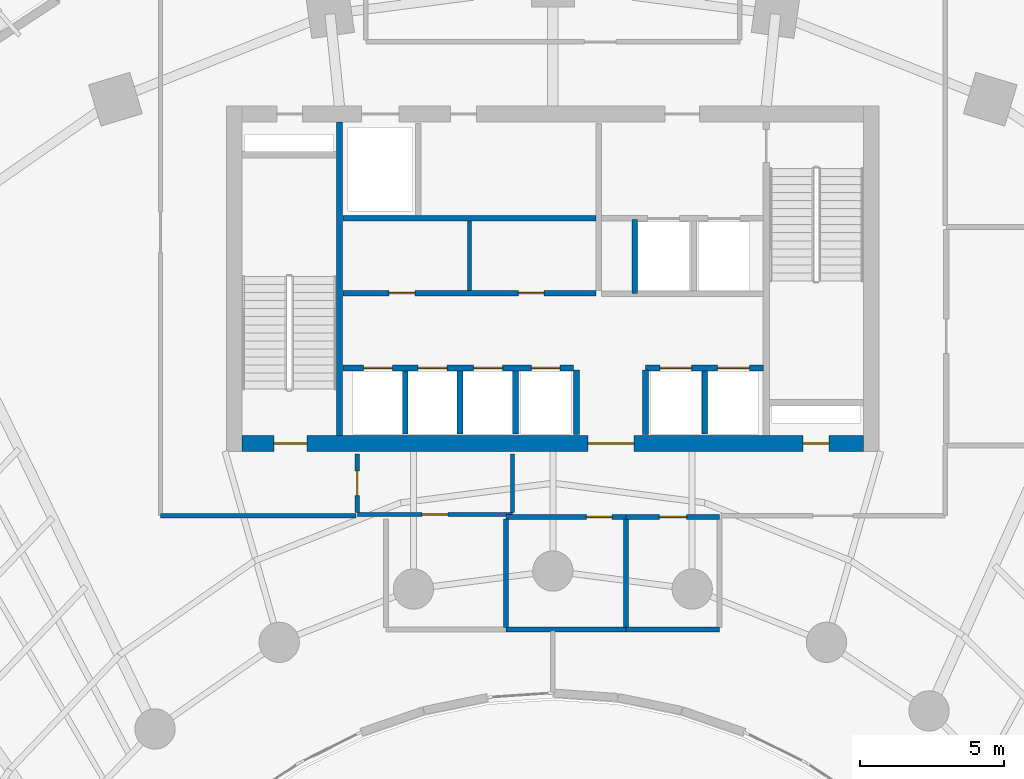
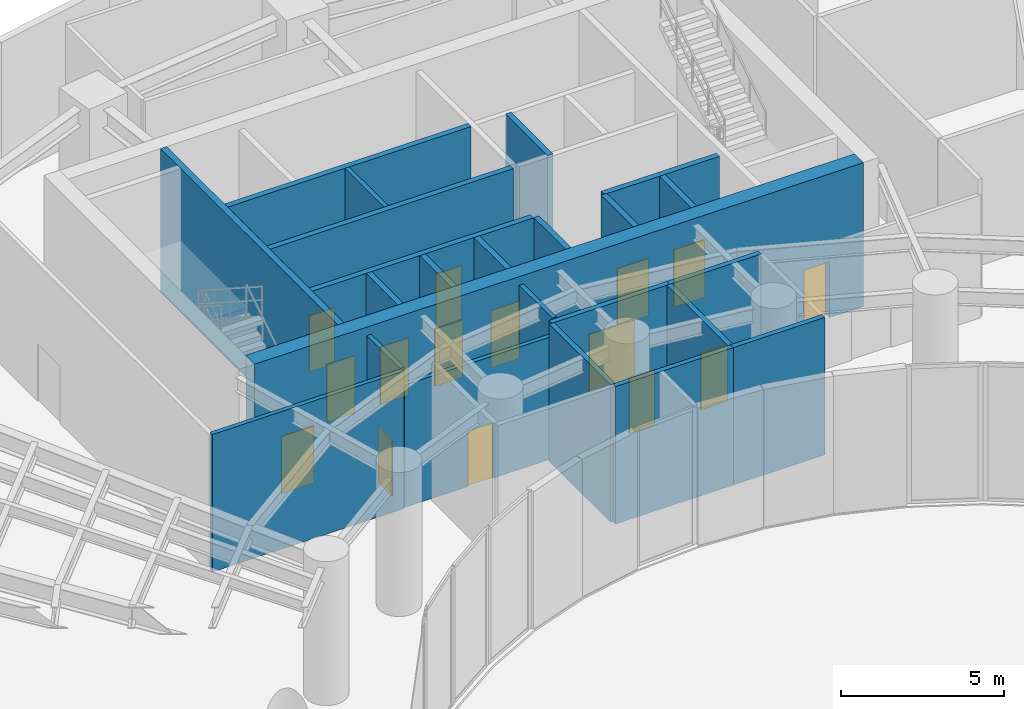
# One storey, part 10 of 17: 24 walls, 15 doors, 15 openings.
"""IFC4 building model written with IfcOpenShell, lengths in metres."""

from ifc_helpers import new_model, si_unit, direction, frame, frame_2d, origin, place, context, subcontext, project, spatial, rectangle, extrude, source, transform, mapped, material, layer, layer_set, type_object, type_shapes, element, fill, save


model = new_model("IFC4")

# Units and contexts
model_context = context("Model", 3, precision=1e-05, world=origin(), true_north=direction((0.0, 1.0)))
body_context = subcontext(model_context, "Body", "Model", "MODEL_VIEW")
ifc_project = project(units=[si_unit("LENGTHUNIT", "METRE"), si_unit("AREAUNIT", "SQUARE_METRE"), si_unit("VOLUMEUNIT", "CUBIC_METRE"), si_unit("PLANEANGLEUNIT", "RADIAN"), si_unit("MASSUNIT", "GRAM", prefix="KILO")], contexts=[model_context])

# Site, building, storey
site_placement = place(None, origin())
site = spatial("IfcSite", under=ifc_project, at=site_placement, CompositionType="ELEMENT")
building_placement = place(site_placement, origin())
building = spatial("IfcBuilding", under=site, at=building_placement, Name="Breltana Convention Tower", CompositionType="ELEMENT")
storey_placement = place(building_placement, frame((0.0, 0.0, 30.0)))
storey = spatial("IfcBuildingStorey", under=building, at=storey_placement, Name="L05", CompositionType="ELEMENT", Elevation=30.0)

# Wall, openings, doors
ifc_material_1 = material(Name="Concrete C60/75", Category="concrete")
ifc_layer_1 = layer(ifc_material_1, 0.550048828125, Name="Concrete C60/75")
ifc_layer_set_1 = layer_set([ifc_layer_1], Name="Concrete C60/75")
wall_type_1 = type_object("IfcWallType", Name="SW-CORE-550", PredefinedType="SHEAR", material=ifc_layer_set_1)
shared_shape_1 = source(origin(), body_context, "Body", "SweptSolid", [
    extrude(rectangle(XDim=21.60009765625, YDim=0.550048828125, at=frame_2d((10.800048828125, 0.0))), origin(), (0.0, 0.0, 1.0), 5.39990234375),
])
wall_1_placement = place(storey_placement, frame((37.199951171875, 60.47509765625, 0.0), z_axis=(0.0, 0.0, 1.0), x_axis=(1.0, 0.0, 0.0)))
wall_1 = element("IfcWall", 1, at=wall_1_placement, inside=storey, type_object=wall_type_1, Name="L05 South Core Shear Wall", PredefinedType="SHEAR", context=body_context, shape_type="MappedRepresentation", body=[
    mapped(shared_shape_1, transform((0.0, 0.0, 0.0), scale=1.0)),
])
opening_1_placement = place(wall_1_placement, frame((1.10009765625, 0.0, 0.0)))
opening_1 = element("IfcOpeningElement", 2, at=opening_1_placement, cuts=wall_1, Name="Opening D-11", PredefinedType="OPENING", context=body_context, shape_type="SweptSolid", body=[
    extrude(rectangle(XDim=1.14990234375, YDim=2.14990234375, at=frame_2d((0.574951171875, 1.074951171875))), frame((0.0, 0.28515625, 0.0), z_axis=(0.0, -1.0, 0.0), x_axis=(1.0, 0.0, 0.0)), (0.0, 0.0, 1.0), 0.570068359375),
])
opening_2_placement = place(wall_1_placement, frame((19.5, 0.0, 0.0)))
opening_2 = element("IfcOpeningElement", 3, at=opening_2_placement, cuts=wall_1, Name="Opening D-18", PredefinedType="OPENING", context=body_context, shape_type="SweptSolid", body=[
    extrude(rectangle(XDim=0.89990234375, YDim=2.10009765625, at=frame_2d((0.449951171875, 1.050048828125))), frame((0.0, 0.28515625, 0.0), z_axis=(0.0, -1.0, 0.0), x_axis=(1.0, 0.0, 0.0)), (0.0, 0.0, 1.0), 0.570068359375),
])
opening_3_placement = place(wall_1_placement, frame((12.02001953125, 0.0, 0.0)))
opening_3 = element("IfcOpeningElement", 4, at=opening_3_placement, cuts=wall_1, Name="Opening D-02", PredefinedType="OPENING", context=body_context, shape_type="SweptSolid", body=[
    extrude(rectangle(XDim=1.60009765625, YDim=2.14990234375, at=frame_2d((0.800048828125, 1.074951171875))), frame((0.0, 0.28515625, 0.0), z_axis=(0.0, -1.0, 0.0), x_axis=(1.0, 0.0, 0.0)), (0.0, 0.0, 1.0), 0.570068359375),
])
ifc_material_2 = material(Name="Steel Stair Exit Door", Category="steel")
door_type_1 = type_object("IfcDoorType", Name="DR-FD120-1150", OperationType="NOTDEFINED", PredefinedType="DOOR", material=ifc_material_2)
shared_shape_2 = source(origin(), body_context, "Body", "SweptSolid", [
    extrude(rectangle(XDim=1.14990234375, YDim=2.14990234375, at=frame_2d((0.574951171875, 1.074951171875))), frame((0.0, 0.02490234375, 0.0), z_axis=(0.0, -1.0, 0.0), x_axis=(1.0, 0.0, 0.0)), (0.0, 0.0, 1.0), 0.050048828125),
])
type_shapes(door_type_1, [shared_shape_2])
door_1_placement = place(opening_1_placement, origin())
door_1 = element("IfcDoor", 5, at=door_1_placement, inside=storey, type_object=door_type_1, Name="L05 interior door D-L05-ST1", OperationType="SINGLE_SWING_LEFT", OverallHeight=2.14990234375, OverallWidth=1.14990234375, PredefinedType="DOOR", context=body_context, shape_type="MappedRepresentation", body=[
    mapped(shared_shape_2, transform((0.0, 0.0, 0.0), scale=1.0)),
])
fill(opening_1, door_1)
ifc_material_3 = material(Name="Steel Riser Fire Door", Category="steel")
door_type_2 = type_object("IfcDoorType", Name="DR-FD60-900", OperationType="NOTDEFINED", PredefinedType="DOOR", material=ifc_material_3)
shared_shape_3 = source(origin(), body_context, "Body", "SweptSolid", [
    extrude(rectangle(XDim=0.89990234375, YDim=2.10009765625, at=frame_2d((0.449951171875, 1.050048828125))), frame((0.0, 0.02490234375, 0.0), z_axis=(0.0, -1.0, 0.0), x_axis=(1.0, 0.0, 0.0)), (0.0, 0.0, 1.0), 0.050048828125),
])
type_shapes(door_type_2, [shared_shape_3])
door_2_placement = place(opening_2_placement, origin())
door_2 = element("IfcDoor", 6, at=door_2_placement, inside=storey, type_object=door_type_2, Name="L05 Core Riser Access Door D-L05-RS2", OperationType="SINGLE_SWING_RIGHT", OverallHeight=2.10009765625, OverallWidth=0.89990234375, PredefinedType="DOOR", context=body_context, shape_type="MappedRepresentation", body=[
    mapped(shared_shape_3, transform((0.0, 0.0, 0.0), scale=1.0)),
])
fill(opening_2, door_2)
ifc_material_4 = material(Name="Steel Glazed Smoke-Control Door", Category="steel")
door_type_3 = type_object("IfcDoorType", Name="DR-DBL-FD90-1600", OperationType="DOUBLE_DOOR_SINGLE_SWING", PredefinedType="DOOR", material=ifc_material_4)
shared_shape_4 = source(origin(), body_context, "Body", "SweptSolid", [
    extrude(rectangle(XDim=1.60009765625, YDim=2.14990234375, at=frame_2d((0.800048828125, 1.074951171875))), frame((0.0, 0.02490234375, 0.0), z_axis=(0.0, -1.0, 0.0), x_axis=(1.0, 0.0, 0.0)), (0.0, 0.0, 1.0), 0.050048828125),
])
type_shapes(door_type_3, [shared_shape_4])
door_3_placement = place(opening_3_placement, origin())
door_3 = element("IfcDoor", 7, at=door_3_placement, inside=storey, type_object=door_type_3, Name="L05 interior door D-L05-LLB-S", OperationType="DOUBLE_DOOR_SINGLE_SWING", OverallHeight=2.14990234375, OverallWidth=1.60009765625, PredefinedType="DOOR", context=body_context, shape_type="MappedRepresentation", body=[
    mapped(shared_shape_4, transform((0.0, 0.0, 0.0), scale=1.0)),
])
fill(opening_3, door_3)

# Walls
ifc_material_5 = material(Name="Concrete C50/60", Category="concrete")
ifc_layer_2 = layer(ifc_material_5, 0.39990234375, Name="Concrete C50/60")
ifc_layer_set_2 = layer_set([ifc_layer_2], Name="Concrete C50/60")
wall_type_2 = type_object("IfcWallType", Name="SW-CORE-400", PredefinedType="SHEAR", material=ifc_layer_set_2)
shared_shape_5 = source(origin(), body_context, "Body", "SweptSolid", [
    extrude(rectangle(XDim=10.89990234375, YDim=0.219970703125, at=frame_2d((5.449951171875, 0.0))), origin(), (0.0, 0.0, 1.0), 5.39990234375),
])
wall_2_placement = place(storey_placement, frame((40.580078125, 60.75, 0.0), z_axis=(0.0, 0.0, 1.0), x_axis=(0.0, 1.0, 0.0)))
element("IfcWall", 8, at=wall_2_placement, inside=storey, type_object=wall_type_2, Name="L05 Core West Stair Spine Wall", PredefinedType="SHEAR", context=body_context, shape_type="MappedRepresentation", body=[
    mapped(shared_shape_5, transform((0.0, 0.0, 0.0), scale=1.0)),
])
ifc_material_6 = material(Name="Autoclaved Aerated Concrete Block", Category="concrete")
ifc_layer_3 = layer(ifc_material_6, 0.199951171875, Name="Autoclaved Aerated Concrete Block")
ifc_layer_set_3 = layer_set([ifc_layer_3], Name="Autoclaved Aerated Concrete Block")
wall_type_3 = type_object("IfcWallType", Name="WL-SHAFT-200", PredefinedType="SOLIDWALL", material=ifc_layer_set_3)
shared_shape_6 = source(origin(), body_context, "Body", "SweptSolid", [
    extrude(rectangle(XDim=2.239990234375, YDim=0.199951171875, at=frame_2d((1.1201171875, 0.0))), origin(), (0.0, 0.0, 1.0), 5.159912109375),
])
for number, where, z_axis, x_axis, name in (
    (9, (48.820068359375, 60.780029296875, 0.0), (0.0, 0.0, 1.0), (0.0, 1.0, 0.0), "L05 interior partition W-L05-PORT-W"),
    (10, (51.219970703125, 60.780029296875, 0.0), (0.0, 0.0, 1.0), (0.0, 1.0, 0.0), "L05 interior partition W-L05-PORT-E"),
):
    element("IfcWall", number, at=place(storey_placement, frame(where, z_axis=z_axis, x_axis=x_axis)), inside=storey, type_object=wall_type_3, Name=name, PredefinedType="SOLIDWALL", context=body_context, shape_type="MappedRepresentation", body=[
        mapped(shared_shape_6, transform((0.0, 0.0, 0.0), scale=1.0)),
    ])
shared_shape_7 = source(origin(), body_context, "Body", "SweptSolid", [
    extrude(rectangle(XDim=2.580078125, YDim=0.199951171875, at=frame_2d((1.2900390625, 0.0))), origin(), (0.0, 0.0, 1.0), 5.159912109375),
])
wall_3_placement = place(storey_placement, frame((50.85009765625, 65.679931640625, 0.0), z_axis=(0.0, 0.0, 1.0), x_axis=(0.0, 1.0, 0.0)))
element("IfcWall", 11, at=wall_3_placement, inside=storey, type_object=wall_type_3, Name="L05 interior partition W-L05-FL-W", PredefinedType="SOLIDWALL", context=body_context, shape_type="MappedRepresentation", body=[
    mapped(shared_shape_7, transform((0.0, 0.0, 0.0), scale=1.0)),
])
shared_shape_8 = source(origin(), body_context, "Body", "SweptSolid", [
    extrude(rectangle(XDim=8.800048828125, YDim=0.199951171875, at=frame_2d((4.39990234375, 0.0))), origin(), (0.0, 0.0, 1.0), 5.159912109375),
])
wall_4_placement = place(storey_placement, frame((40.699951171875, 68.300048828125, 0.0), z_axis=(0.0, 0.0, 1.0), x_axis=(1.0, 0.0, 0.0)))
element("IfcWall", 12, at=wall_4_placement, inside=storey, type_object=wall_type_3, Name="L05 interior partition W-L05-SV-S", PredefinedType="SOLIDWALL", context=body_context, shape_type="MappedRepresentation", body=[
    mapped(shared_shape_8, transform((0.0, 0.0, 0.0), scale=1.0)),
])

# Wall, openings, doors
wall_5_placement = place(storey_placement, frame((40.699951171875, 65.699951171875, 0.0), z_axis=(0.0, 0.0, 1.0), x_axis=(1.0, 0.0, 0.0)))
wall_5 = element("IfcWall", 13, at=wall_5_placement, inside=storey, type_object=wall_type_3, Name="L05 interior partition W-L05-SH-M-FRONT", PredefinedType="SOLIDWALL", context=body_context, shape_type="MappedRepresentation", body=[
    mapped(shared_shape_8, transform((0.0, 0.0, 0.0), scale=1.0)),
])
opening_4_placement = place(wall_5_placement, frame((1.60009765625, 0.0, 0.0)))
opening_4 = element("IfcOpeningElement", 14, at=opening_4_placement, cuts=wall_5, Name="Opening D-18", PredefinedType="OPENING", context=body_context, shape_type="SweptSolid", body=[
    extrude(rectangle(XDim=0.89990234375, YDim=2.10009765625, at=frame_2d((0.449951171875, 1.050048828125))), frame((0.0, 0.10986328125, 0.0), z_axis=(0.0, -1.0, 0.0), x_axis=(1.0, 0.0, 0.0)), (0.0, 0.0, 1.0), 0.219970703125),
])
opening_5_placement = place(wall_5_placement, frame((6.10009765625, 0.0, 0.0)))
opening_5 = element("IfcOpeningElement", 15, at=opening_5_placement, cuts=wall_5, Name="Opening D-18", PredefinedType="OPENING", context=body_context, shape_type="SweptSolid", body=[
    extrude(rectangle(XDim=0.89990234375, YDim=2.10009765625, at=frame_2d((0.449951171875, 1.050048828125))), frame((0.0, 0.10986328125, 0.0), z_axis=(0.0, -1.0, 0.0), x_axis=(1.0, 0.0, 0.0)), (0.0, 0.0, 1.0), 0.219970703125),
])
door_4_placement = place(opening_4_placement, origin())
door_4 = element("IfcDoor", 16, at=door_4_placement, inside=storey, type_object=door_type_2, Name="L05 interior door D-L05-LV7-B2A", OperationType="SINGLE_SWING_RIGHT", OverallHeight=2.10009765625, OverallWidth=0.89990234375, PredefinedType="DOOR", context=body_context, shape_type="MappedRepresentation", body=[
    mapped(shared_shape_3, transform((0.0, 0.0, 0.0), scale=1.0)),
])
fill(opening_4, door_4)
door_5_placement = place(opening_5_placement, origin())
door_5 = element("IfcDoor", 17, at=door_5_placement, inside=storey, type_object=door_type_2, Name="L05 interior door D-L05-LV7-B2B", OperationType="SINGLE_SWING_LEFT", OverallHeight=2.10009765625, OverallWidth=0.89990234375, PredefinedType="DOOR", context=body_context, shape_type="MappedRepresentation", body=[
    mapped(shared_shape_3, transform((0.0, 0.0, 0.0), scale=1.0)),
])
fill(opening_5, door_5)

shared_shape_9 = source(origin(), body_context, "Body", "SweptSolid", [
    extrude(rectangle(XDim=8.02001953125, YDim=0.199951171875, at=frame_2d((4.010009765625, 0.0))), origin(), (0.0, 0.0, 1.0), 5.159912109375),
])
wall_6_placement = place(storey_placement, frame((40.699951171875, 63.10009765625, 0.0), z_axis=(0.0, 0.0, 1.0), x_axis=(1.0, 0.0, 0.0)))
wall_6 = element("IfcWall", 18, at=wall_6_placement, inside=storey, type_object=wall_type_3, Name="L05 interior partition W-L05-SH-S-FRONT", PredefinedType="SOLIDWALL", context=body_context, shape_type="MappedRepresentation", body=[
    mapped(shared_shape_9, transform((0.0, 0.0, 0.0), scale=1.0)),
])
opening_6_placement = place(wall_6_placement, frame((0.719970703125, 0.0, 0.0)))
opening_6 = element("IfcOpeningElement", 19, at=opening_6_placement, cuts=wall_6, Name="Opening LD-04", PredefinedType="OPENING", context=body_context, shape_type="SweptSolid", body=[
    extrude(rectangle(XDim=1.0, YDim=2.14990234375, at=frame_2d((0.5, 1.074951171875))), frame((0.0, 0.10986328125, 0.0), z_axis=(0.0, -1.0, 0.0), x_axis=(1.0, 0.0, 0.0)), (0.0, 0.0, 1.0), 0.219970703125),
])
opening_7_placement = place(wall_6_placement, frame((2.6201171875, 0.0, 0.0)))
opening_7 = element("IfcOpeningElement", 20, at=opening_7_placement, cuts=wall_6, Name="Opening LD-04", PredefinedType="OPENING", context=body_context, shape_type="SweptSolid", body=[
    extrude(rectangle(XDim=1.0, YDim=2.14990234375, at=frame_2d((0.5, 1.074951171875))), frame((0.0, 0.10986328125, 0.0), z_axis=(0.0, -1.0, 0.0), x_axis=(1.0, 0.0, 0.0)), (0.0, 0.0, 1.0), 0.219970703125),
])
opening_8_placement = place(wall_6_placement, frame((4.550048828125, 0.0, 0.0)))
opening_8 = element("IfcOpeningElement", 21, at=opening_8_placement, cuts=wall_6, Name="Opening LD-04", PredefinedType="OPENING", context=body_context, shape_type="SweptSolid", body=[
    extrude(rectangle(XDim=1.0, YDim=2.14990234375, at=frame_2d((0.5, 1.074951171875))), frame((0.0, 0.10986328125, 0.0), z_axis=(0.0, -1.0, 0.0), x_axis=(1.0, 0.0, 0.0)), (0.0, 0.0, 1.0), 0.219970703125),
])
opening_9_placement = place(wall_6_placement, frame((6.550048828125, 0.0, 0.0)))
opening_9 = element("IfcOpeningElement", 22, at=opening_9_placement, cuts=wall_6, Name="Opening LD-04", PredefinedType="OPENING", context=body_context, shape_type="SweptSolid", body=[
    extrude(rectangle(XDim=1.0, YDim=2.14990234375, at=frame_2d((0.5, 1.074951171875))), frame((0.0, 0.10986328125, 0.0), z_axis=(0.0, -1.0, 0.0), x_axis=(1.0, 0.0, 0.0)), (0.0, 0.0, 1.0), 0.219970703125),
])
ifc_material_7 = material(Name="Stainless Steel Brushed", Category="steel")
door_type_4 = type_object("IfcDoorType", Name="DR-LD-PAX-1000", OperationType="DOUBLE_DOOR_SLIDING", PredefinedType="DOOR", material=ifc_material_7)
shared_shape_10 = source(origin(), body_context, "Body", "SweptSolid", [
    extrude(rectangle(XDim=1.0, YDim=2.14990234375, at=frame_2d((0.5, 1.074951171875))), frame((0.0, 0.02490234375, 0.0), z_axis=(0.0, -1.0, 0.0), x_axis=(1.0, 0.0, 0.0)), (0.0, 0.0, 1.0), 0.050048828125),
])
type_shapes(door_type_4, [shared_shape_10])
door_6_placement = place(opening_6_placement, origin())
door_6 = element("IfcDoor", 23, at=door_6_placement, inside=storey, type_object=door_type_4, Name="L05 Lift Landing Door D-L05-LD-S1", OperationType="DOUBLE_DOOR_SLIDING", OverallHeight=2.14990234375, OverallWidth=1.0, PredefinedType="DOOR", context=body_context, shape_type="MappedRepresentation", body=[
    mapped(shared_shape_10, transform((0.0, 0.0, 0.0), scale=1.0)),
])
fill(opening_6, door_6)
door_7_placement = place(opening_7_placement, origin())
door_7 = element("IfcDoor", 24, at=door_7_placement, inside=storey, type_object=door_type_4, Name="L05 Lift Landing Door D-L05-LD-S2", OperationType="DOUBLE_DOOR_SLIDING", OverallHeight=2.14990234375, OverallWidth=1.0, PredefinedType="DOOR", context=body_context, shape_type="MappedRepresentation", body=[
    mapped(shared_shape_10, transform((0.0, 0.0, 0.0), scale=1.0)),
])
fill(opening_7, door_7)
door_8_placement = place(opening_8_placement, origin())
door_8 = element("IfcDoor", 25, at=door_8_placement, inside=storey, type_object=door_type_4, Name="L05 Lift Landing Door D-L05-LD-S3", OperationType="DOUBLE_DOOR_SLIDING", OverallHeight=2.14990234375, OverallWidth=1.0, PredefinedType="DOOR", context=body_context, shape_type="MappedRepresentation", body=[
    mapped(shared_shape_10, transform((0.0, 0.0, 0.0), scale=1.0)),
])
fill(opening_8, door_8)
door_9_placement = place(opening_9_placement, origin())
door_9 = element("IfcDoor", 26, at=door_9_placement, inside=storey, type_object=door_type_4, Name="L05 Lift Landing Door D-L05-LD-S4", OperationType="DOUBLE_DOOR_SLIDING", OverallHeight=2.14990234375, OverallWidth=1.0, PredefinedType="DOOR", context=body_context, shape_type="MappedRepresentation", body=[
    mapped(shared_shape_10, transform((0.0, 0.0, 0.0), scale=1.0)),
])
fill(opening_9, door_9)

shared_shape_11 = source(origin(), body_context, "Body", "SweptSolid", [
    extrude(rectangle(XDim=4.10009765625, YDim=0.199951171875, at=frame_2d((2.050048828125, 0.0))), origin(), (0.0, 0.0, 1.0), 5.159912109375),
])
wall_7_placement = place(storey_placement, frame((51.219970703125, 63.10009765625, 0.0), z_axis=(0.0, 0.0, 1.0), x_axis=(1.0, 0.0, 0.0)))
wall_7 = element("IfcWall", 27, at=wall_7_placement, inside=storey, type_object=wall_type_3, Name="L05 interior partition W-L05-SH-X-FRONT", PredefinedType="SOLIDWALL", context=body_context, shape_type="MappedRepresentation", body=[
    mapped(shared_shape_11, transform((0.0, 0.0, 0.0), scale=1.0)),
])
opening_10_placement = place(wall_7_placement, frame((0.510009765625, 0.0, 0.0)))
opening_10 = element("IfcOpeningElement", 28, at=opening_10_placement, cuts=wall_7, Name="Opening LD-02", PredefinedType="OPENING", context=body_context, shape_type="SweptSolid", body=[
    extrude(rectangle(XDim=1.10009765625, YDim=2.14990234375, at=frame_2d((0.550048828125, 1.074951171875))), frame((0.0, 0.10986328125, 0.0), z_axis=(0.0, -1.0, 0.0), x_axis=(1.0, 0.0, 0.0)), (0.0, 0.0, 1.0), 0.219970703125),
])
opening_11_placement = place(wall_7_placement, frame((2.510009765625, 0.0, 0.0)))
opening_11 = element("IfcOpeningElement", 29, at=opening_11_placement, cuts=wall_7, Name="Opening LD-02", PredefinedType="OPENING", context=body_context, shape_type="SweptSolid", body=[
    extrude(rectangle(XDim=1.10009765625, YDim=2.14990234375, at=frame_2d((0.550048828125, 1.074951171875))), frame((0.0, 0.10986328125, 0.0), z_axis=(0.0, -1.0, 0.0), x_axis=(1.0, 0.0, 0.0)), (0.0, 0.0, 1.0), 0.219970703125),
])
ifc_material_8 = material(Name="Stainless Steel Bronze", Category="steel")
door_type_5 = type_object("IfcDoorType", Name="DR-LD-EXP-1100", OperationType="DOUBLE_DOOR_SLIDING", PredefinedType="DOOR", material=ifc_material_8)
shared_shape_12 = source(origin(), body_context, "Body", "SweptSolid", [
    extrude(rectangle(XDim=1.10009765625, YDim=2.14990234375, at=frame_2d((0.550048828125, 1.074951171875))), frame((0.0, 0.02490234375, 0.0), z_axis=(0.0, -1.0, 0.0), x_axis=(1.0, 0.0, 0.0)), (0.0, 0.0, 1.0), 0.050048828125),
])
type_shapes(door_type_5, [shared_shape_12])
door_10_placement = place(opening_10_placement, origin())
door_10 = element("IfcDoor", 30, at=door_10_placement, inside=storey, type_object=door_type_5, Name="L05 Lift Landing Door D-L05-LD-X1", OperationType="DOUBLE_DOOR_SLIDING", OverallHeight=2.14990234375, OverallWidth=1.10009765625, PredefinedType="DOOR", context=body_context, shape_type="MappedRepresentation", body=[
    mapped(shared_shape_12, transform((0.0, 0.0, 0.0), scale=1.0)),
])
fill(opening_10, door_10)
door_11_placement = place(opening_11_placement, origin())
door_11 = element("IfcDoor", 31, at=door_11_placement, inside=storey, type_object=door_type_5, Name="L05 Lift Landing Door D-L05-LD-X2", OperationType="DOUBLE_DOOR_SLIDING", OverallHeight=2.14990234375, OverallWidth=1.10009765625, PredefinedType="DOOR", context=body_context, shape_type="MappedRepresentation", body=[
    mapped(shared_shape_12, transform((0.0, 0.0, 0.0), scale=1.0)),
])
fill(opening_11, door_11)

# Walls
shared_shape_13 = source(origin(), body_context, "Body", "SweptSolid", [
    extrude(rectangle(XDim=2.199951171875, YDim=0.199951171875, at=frame_2d((1.10009765625, 0.0))), origin(), (0.0, 0.0, 1.0), 5.159912109375),
])
for number, where, z_axis, x_axis, name in (
    (32, (42.8701171875, 60.800048828125, 0.0), (0.0, 0.0, 1.0), (0.0, 1.0, 0.0), "L05 interior partition W-L05-SH-S-DIV1"),
    (33, (44.77001953125, 60.800048828125, 0.0), (0.0, 0.0, 1.0), (0.0, 1.0, 0.0), "L05 interior partition W-L05-SH-S-DIV2"),
    (34, (46.699951171875, 60.800048828125, 0.0), (0.0, 0.0, 1.0), (0.0, 1.0, 0.0), "L05 interior partition W-L05-SH-S-DIV3"),
    (35, (53.280029296875, 60.800048828125, 0.0), (0.0, 0.0, 1.0), (0.0, 1.0, 0.0), "L05 interior partition W-L05-SH-X-DIV"),
):
    element("IfcWall", number, at=place(storey_placement, frame(where, z_axis=z_axis, x_axis=x_axis)), inside=storey, type_object=wall_type_3, Name=name, PredefinedType="SOLIDWALL", context=body_context, shape_type="MappedRepresentation", body=[
        mapped(shared_shape_13, transform((0.0, 0.0, 0.0), scale=1.0)),
    ])
ifc_material_9 = material(Name="Gypsum Acoustic Drywall Partition")
ifc_layer_4 = layer(ifc_material_9, 0.14990234375, Name="Gypsum Acoustic Drywall Partition")
ifc_layer_set_4 = layer_set([ifc_layer_4], Name="Gypsum Acoustic Drywall Partition")
wall_type_4 = type_object("IfcWallType", Name="WL-PART-150", PredefinedType="PARTITIONING", material=ifc_layer_set_4)
shared_shape_14 = source(origin(), body_context, "Body", "SweptSolid", [
    extrude(rectangle(XDim=2.39990234375, YDim=0.14990234375, at=frame_2d((1.199951171875, 0.0))), origin(), (0.0, 0.0, 1.0), 5.159912109375),
])
wall_8_placement = place(storey_placement, frame((45.10009765625, 65.800048828125, 0.0), z_axis=(0.0, 0.0, 1.0), x_axis=(0.0, 1.0, 0.0)))
element("IfcWall", 36, at=wall_8_placement, inside=storey, type_object=wall_type_4, Name="L05 interior partition W-L05-LV7-B2-DIV", PredefinedType="PARTITIONING", context=body_context, shape_type="MappedRepresentation", body=[
    mapped(shared_shape_14, transform((0.0, 0.0, 0.0), scale=1.0)),
])

# Wall, opening, door
shared_shape_15 = source(origin(), body_context, "Body", "SweptSolid", [
    extrude(rectangle(XDim=5.400146484375, YDim=0.14990234375, at=frame_2d((2.7001953125, 0.0))), origin(), (0.0, 0.0, 1.0), 4.591064453125),
])
wall_9_placement = place(storey_placement, frame((41.199951171875, 58.0, 0.0), z_axis=(0.0, 0.0, 1.0), x_axis=(1.0, 0.0, 0.0)))
wall_9 = element("IfcWall", 37, at=wall_9_placement, inside=storey, type_object=wall_type_4, Name="L05 interior partition W-L05-CRSC-S", PredefinedType="PARTITIONING", context=body_context, shape_type="MappedRepresentation", body=[
    mapped(shared_shape_15, transform((0.0, 0.0, 0.0), scale=1.0)),
])
opening_12_placement = place(wall_9_placement, frame((2.25, 0.0, 0.0)))
opening_12 = element("IfcOpeningElement", 38, at=opening_12_placement, cuts=wall_9, Name="Opening D-19", PredefinedType="OPENING", context=body_context, shape_type="SweptSolid", body=[
    extrude(rectangle(XDim=0.89990234375, YDim=2.080078125, at=frame_2d((0.449951171875, 1.0400390625))), frame((0.0, 0.0849609375, 0.0), z_axis=(0.0, -1.0, 0.0), x_axis=(1.0, 0.0, 0.0)), (0.0, 0.0, 1.0), 0.169921875),
])
ifc_material_10 = material(Name="Timber Moisture-Resistant Door", Category="wood")
door_type_6 = type_object("IfcDoorType", Name="DR-WC-900", OperationType="NOTDEFINED", PredefinedType="DOOR", material=ifc_material_10)
shared_shape_16 = source(origin(), body_context, "Body", "SweptSolid", [
    extrude(rectangle(XDim=0.89990234375, YDim=2.080078125, at=frame_2d((0.449951171875, 1.0400390625))), frame((0.0, 0.02490234375, 0.0), z_axis=(0.0, -1.0, 0.0), x_axis=(1.0, 0.0, 0.0)), (0.0, 0.0, 1.0), 0.050048828125),
])
type_shapes(door_type_6, [shared_shape_16])
door_12_placement = place(opening_12_placement, origin())
door_12 = element("IfcDoor", 39, at=door_12_placement, inside=storey, type_object=door_type_6, Name="L05 interior door D-L05-WCM", OperationType="SINGLE_SWING_LEFT", OverallHeight=2.080078125, OverallWidth=0.89990234375, PredefinedType="DOOR", context=body_context, shape_type="MappedRepresentation", body=[
    mapped(shared_shape_16, transform((0.0, 0.0, 0.0), scale=1.0)),
])
fill(opening_12, door_12)

shared_shape_17 = source(origin(), body_context, "Body", "SweptSolid", [
    extrude(rectangle(XDim=2.03271484375, YDim=0.14990234375, at=frame_2d((1.016357421875, 0.0))), origin(), (0.0, 0.0, 1.0), 5.159912109375),
])
wall_10_placement = place(storey_placement, frame((41.199951171875, 58.0673828125, 0.0), z_axis=(0.0, 0.0, 1.0), x_axis=(0.0, 1.0, 0.0)))
wall_10 = element("IfcWall", 40, at=wall_10_placement, inside=storey, type_object=wall_type_4, Name="L05 interior partition W-L05-CRSC-W", PredefinedType="PARTITIONING", context=body_context, shape_type="MappedRepresentation", body=[
    mapped(shared_shape_17, transform((0.0, 0.0, 0.0), scale=1.0)),
])
opening_13_placement = place(wall_10_placement, frame((0.59130859375, 0.0, 0.0)))
opening_13 = element("IfcOpeningElement", 41, at=opening_13_placement, cuts=wall_10, Name="Opening D-20", PredefinedType="OPENING", context=body_context, shape_type="SweptSolid", body=[
    extrude(rectangle(XDim=0.85009765625, YDim=2.10009765625, at=frame_2d((0.425048828125, 1.050048828125))), frame((0.0, 0.0849609375, 0.0), z_axis=(0.0, -1.0, 0.0), x_axis=(1.0, 0.0, 0.0)), (0.0, 0.0, 1.0), 0.169921875),
])
ifc_material_11 = material(Name="Steel Closet Fire Door", Category="steel")
door_type_7 = type_object("IfcDoorType", Name="DR-FD60-850", OperationType="NOTDEFINED", PredefinedType="DOOR", material=ifc_material_11)
shared_shape_18 = source(origin(), body_context, "Body", "SweptSolid", [
    extrude(rectangle(XDim=0.85009765625, YDim=2.10009765625, at=frame_2d((0.425048828125, 1.050048828125))), frame((0.0, 0.02490234375, 0.0), z_axis=(0.0, -1.0, 0.0), x_axis=(1.0, 0.0, 0.0)), (0.0, 0.0, 1.0), 0.050048828125),
])
type_shapes(door_type_7, [shared_shape_18])
door_13_placement = place(opening_13_placement, origin())
door_13 = element("IfcDoor", 42, at=door_13_placement, inside=storey, type_object=door_type_7, Name="L05 interior door D-L05-CRSC", OperationType="SINGLE_SWING_RIGHT", OverallHeight=2.10009765625, OverallWidth=0.85009765625, PredefinedType="DOOR", context=body_context, shape_type="MappedRepresentation", body=[
    mapped(shared_shape_18, transform((0.0, 0.0, 0.0), scale=1.0)),
])
fill(opening_13, door_13)

# Walls
wall_11_placement = place(storey_placement, frame((46.60009765625, 58.0673828125, 0.0), z_axis=(0.0, 0.0, 1.0), x_axis=(0.0, 1.0, 0.0)))
element("IfcWall", 43, at=wall_11_placement, inside=storey, type_object=wall_type_4, Name="L05 interior partition W-L05-CRSC-E", PredefinedType="PARTITIONING", context=body_context, shape_type="MappedRepresentation", body=[
    mapped(shared_shape_17, transform((0.0, 0.0, 0.0), scale=1.0)),
])
ifc_material_12 = material(Name="Cement Board Wet-Area Partition")
ifc_layer_5 = layer(ifc_material_12, 0.175048828125, Name="Cement Board Wet-Area Partition")
ifc_layer_set_5 = layer_set([ifc_layer_5], Name="Cement Board Wet-Area Partition")
wall_type_5 = type_object("IfcWallType", Name="WL-WET-175", PredefinedType="PARTITIONING", material=ifc_layer_set_5)
shared_shape_19 = source(origin(), body_context, "Body", "SweptSolid", [
    extrude(rectangle(XDim=4.176025390625, YDim=0.175048828125, at=frame_2d((2.087890625, 0.0))), origin(), (0.0, 0.0, 1.0), 5.159912109375),
])
wall_12_placement = place(storey_placement, frame((46.3759765625, 54.0, 0.0), z_axis=(0.0, 0.0, 1.0), x_axis=(1.0, 0.0, 0.0)))
element("IfcWall", 44, at=wall_12_placement, inside=storey, type_object=wall_type_5, Name="L05 interior partition W-L05-WCF-S", PredefinedType="PARTITIONING", context=body_context, shape_type="MappedRepresentation", body=[
    mapped(shared_shape_19, transform((0.0, 0.0, 0.0), scale=1.0)),
])
shared_shape_20 = source(origin(), body_context, "Body", "SweptSolid", [
    extrude(rectangle(XDim=3.7626953125, YDim=0.175048828125, at=frame_2d((1.88134765625, 0.0))), origin(), (0.0, 0.0, 1.0), 5.159912109375),
])
for number, where, z_axis, x_axis, name in (
    (45, (46.3759765625, 54.07861328125, 0.0), (0.0, 0.0, 1.0), (0.0, 1.0, 0.0), "L05 interior partition W-L05-WCM-E"),
    (46, (50.552001953125, 54.07861328125, 0.0), (0.0, 0.0, 1.0), (0.0, 1.0, 0.0), "L05 interior partition W-L05-WCF-E"),
):
    element("IfcWall", number, at=place(storey_placement, frame(where, z_axis=z_axis, x_axis=x_axis)), inside=storey, type_object=wall_type_5, Name=name, PredefinedType="PARTITIONING", context=body_context, shape_type="MappedRepresentation", body=[
        mapped(shared_shape_20, transform((0.0, 0.0, 0.0), scale=1.0)),
    ])

# Wall, opening, door
ifc_material_13 = material(Name="Moisture-Resistant Gypsum Chase Wall")
ifc_layer_6 = layer(ifc_material_13, 0.179931640625, Name="Moisture-Resistant Gypsum Chase Wall")
ifc_layer_set_6 = layer_set([ifc_layer_6], Name="Moisture-Resistant Gypsum Chase Wall")
wall_type_6 = type_object("IfcWallType", Name="WL-PLUMB-180", PredefinedType="PLUMBINGWALL", material=ifc_layer_set_6)
shared_shape_21 = source(origin(), body_context, "Body", "SweptSolid", [
    extrude(rectangle(XDim=4.176025390625, YDim=0.179931640625, at=frame_2d((2.087890625, 0.0))), origin(), (0.0, 0.0, 1.0), 5.159912109375),
])
wall_13_placement = place(storey_placement, frame((46.3759765625, 57.919921875, 0.0), z_axis=(0.0, 0.0, 1.0), x_axis=(1.0, 0.0, 0.0)))
wall_13 = element("IfcWall", 47, at=wall_13_placement, inside=storey, type_object=wall_type_6, Name="L05 interior partition W-L05-WCF-N", PredefinedType="PLUMBINGWALL", context=body_context, shape_type="MappedRepresentation", body=[
    mapped(shared_shape_21, transform((0.0, 0.0, 0.0), scale=1.0)),
])
opening_14_placement = place(wall_13_placement, frame((2.7880859375, 0.0, 0.0)))
opening_14 = element("IfcOpeningElement", 48, at=opening_14_placement, cuts=wall_13, Name="Opening D-19", PredefinedType="OPENING", context=body_context, shape_type="SweptSolid", body=[
    extrude(rectangle(XDim=0.89990234375, YDim=2.080078125, at=frame_2d((0.449951171875, 1.0400390625))), frame((0.0, 0.10009765625, 0.0), z_axis=(0.0, -1.0, 0.0), x_axis=(1.0, 0.0, 0.0)), (0.0, 0.0, 1.0), 0.199951171875),
])
door_14_placement = place(opening_14_placement, origin())
door_14 = element("IfcDoor", 49, at=door_14_placement, inside=storey, type_object=door_type_6, Name="L05 interior door D-L05-WCF", OperationType="SINGLE_SWING_RIGHT", OverallHeight=2.080078125, OverallWidth=0.89990234375, PredefinedType="DOOR", context=body_context, shape_type="MappedRepresentation", body=[
    mapped(shared_shape_16, transform((0.0, 0.0, 0.0), scale=1.0)),
])
fill(opening_14, door_14)

# Wall
shared_shape_22 = source(origin(), body_context, "Body", "SweptSolid", [
    extrude(rectangle(XDim=3.248046875, YDim=0.175048828125, at=frame_2d((1.6240234375, 0.0))), origin(), (0.0, 0.0, 1.0), 5.159912109375),
])
wall_14_placement = place(storey_placement, frame((50.552001953125, 54.0, 0.0), z_axis=(0.0, 0.0, 1.0), x_axis=(1.0, 0.0, 0.0)))
element("IfcWall", 50, at=wall_14_placement, inside=storey, type_object=wall_type_5, Name="L05 interior partition W-L05-WCA-S", PredefinedType="PARTITIONING", context=body_context, shape_type="MappedRepresentation", body=[
    mapped(shared_shape_22, transform((0.0, 0.0, 0.0), scale=1.0)),
])

# Wall, opening, door
shared_shape_23 = source(origin(), body_context, "Body", "SweptSolid", [
    extrude(rectangle(XDim=3.248046875, YDim=0.179931640625, at=frame_2d((1.6240234375, 0.0))), origin(), (0.0, 0.0, 1.0), 5.159912109375),
])
wall_15_placement = place(storey_placement, frame((50.552001953125, 57.919921875, 0.0), z_axis=(0.0, 0.0, 1.0), x_axis=(1.0, 0.0, 0.0)))
wall_15 = element("IfcWall", 51, at=wall_15_placement, inside=storey, type_object=wall_type_6, Name="L05 interior partition W-L05-WCA-N", PredefinedType="PLUMBINGWALL", context=body_context, shape_type="MappedRepresentation", body=[
    mapped(shared_shape_23, transform((0.0, 0.0, 0.0), scale=1.0)),
])
opening_15_placement = place(wall_15_placement, frame((1.14892578125, 0.0, 0.0)))
opening_15 = element("IfcOpeningElement", 52, at=opening_15_placement, cuts=wall_15, Name="Opening D-16", PredefinedType="OPENING", context=body_context, shape_type="SweptSolid", body=[
    extrude(rectangle(XDim=0.949951171875, YDim=2.1201171875, at=frame_2d((0.47509765625, 1.06005859375))), frame((0.0, 0.10009765625, 0.0), z_axis=(0.0, -1.0, 0.0), x_axis=(1.0, 0.0, 0.0)), (0.0, 0.0, 1.0), 0.199951171875),
])
ifc_material_14 = material(Name="Timber Laminate Accessible Door", Category="wood")
door_type_8 = type_object("IfcDoorType", Name="DR-ACC-950", OperationType="NOTDEFINED", PredefinedType="DOOR", material=ifc_material_14)
shared_shape_24 = source(origin(), body_context, "Body", "SweptSolid", [
    extrude(rectangle(XDim=0.949951171875, YDim=2.1201171875, at=frame_2d((0.47509765625, 1.06005859375))), frame((0.0, 0.02490234375, 0.0), z_axis=(0.0, -1.0, 0.0), x_axis=(1.0, 0.0, 0.0)), (0.0, 0.0, 1.0), 0.050048828125),
])
type_shapes(door_type_8, [shared_shape_24])
door_15_placement = place(opening_15_placement, origin())
door_15 = element("IfcDoor", 53, at=door_15_placement, inside=storey, type_object=door_type_8, Name="L05 interior door D-L05-WCA", OperationType="SINGLE_SWING_LEFT", OverallHeight=2.1201171875, OverallWidth=0.949951171875, PredefinedType="DOOR", context=body_context, shape_type="MappedRepresentation", body=[
    mapped(shared_shape_24, transform((0.0, 0.0, 0.0), scale=1.0)),
])
fill(opening_15, door_15)

# Wall
shared_shape_25 = source(origin(), body_context, "Body", "SweptSolid", [
    extrude(rectangle(XDim=6.7998046875, YDim=0.14990234375, at=frame_2d((3.39990234375, 0.0))), origin(), (0.0, 0.0, 1.0), 5.159912109375),
])
wall_16_placement = place(storey_placement, frame((34.360107421875, 57.9599609375, 0.0), z_axis=(0.0, 0.0, 1.0), x_axis=(1.0, 0.0, 0.0)))
element("IfcWall", 54, at=wall_16_placement, inside=storey, type_object=wall_type_4, Name="L05 interior partition W-L05-L05-SW", PredefinedType="PARTITIONING", context=body_context, shape_type="MappedRepresentation", body=[
    mapped(shared_shape_25, transform((0.0, 0.0, 0.0), scale=1.0)),
])

save(model, "model.ifc")
